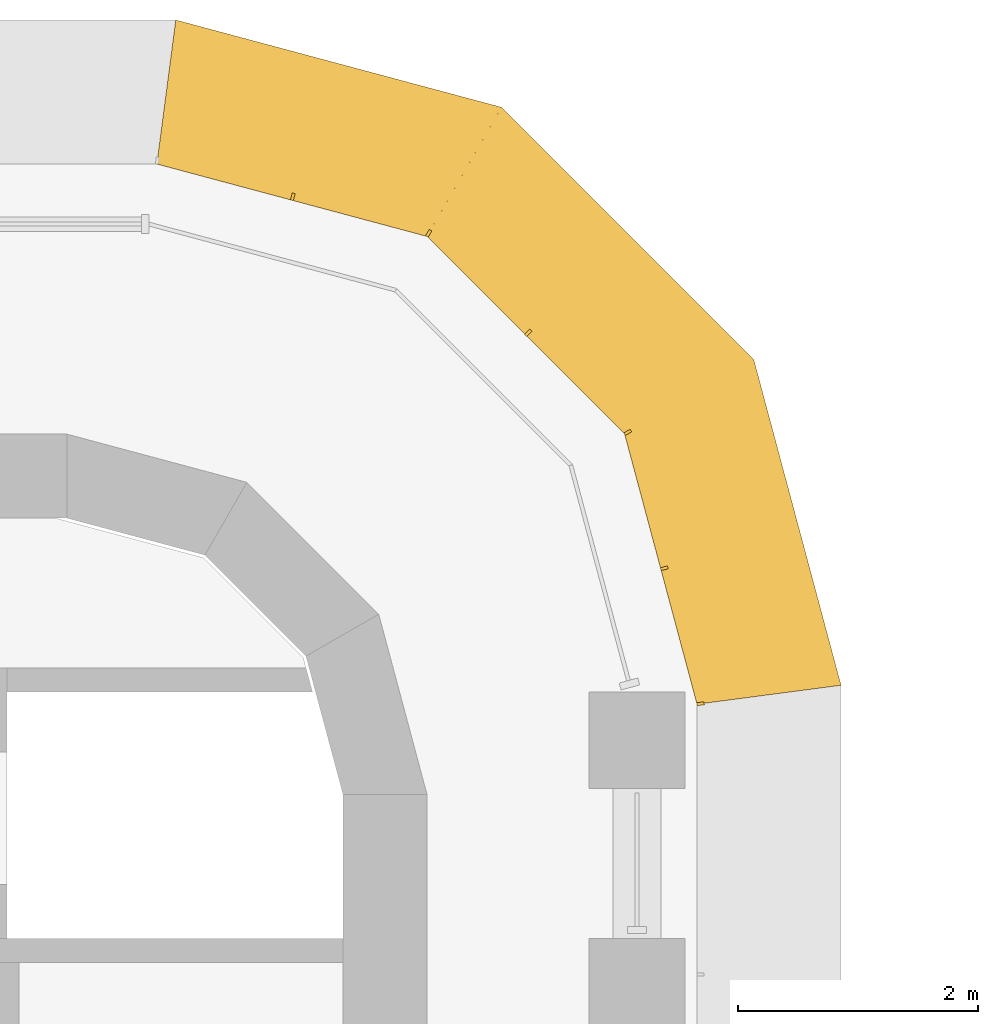
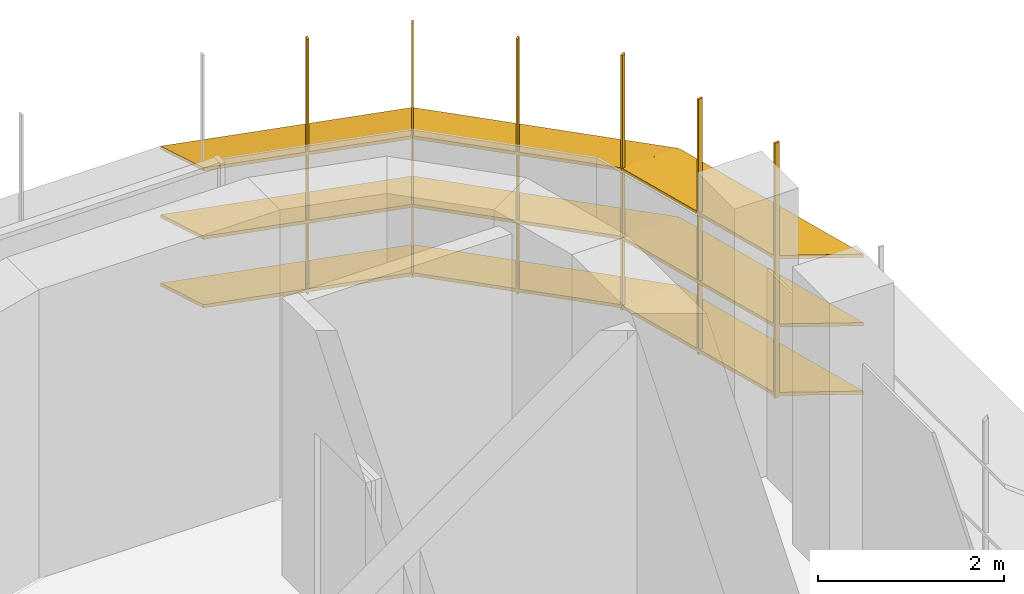
# One storey, part 20 of 20: 1 shading device.
"""IFC4 building model written with IfcOpenShell, lengths in metres."""

from ifc_helpers import new_model, si_unit, direction, frame, origin, place, context, subcontext, project, spatial, polyline, outline, extrude, faceted_brep, source, transform, mapped, material, type_object, element, save


model = new_model("IFC4")

# Units and contexts
model_context = context("Model", 3, precision=1e-05, world=origin(), true_north=direction((0.0, 1.0)))
body_context = subcontext(model_context, "Body", "Model", "MODEL_VIEW")
ifc_project = project(units=[si_unit("LENGTHUNIT", "METRE"), si_unit("AREAUNIT", "SQUARE_METRE"), si_unit("VOLUMEUNIT", "CUBIC_METRE"), si_unit("PLANEANGLEUNIT", "RADIAN"), si_unit("MASSUNIT", "GRAM", prefix="KILO")], contexts=[model_context])

# Site, building, storey
site_placement = place(None, origin())
site = spatial("IfcSite", under=ifc_project, at=site_placement, CompositionType="ELEMENT")
building_placement = place(site_placement, origin())
building = spatial("IfcBuilding", under=site, at=building_placement, Name="Zarbagh Exchange Tower", CompositionType="ELEMENT")
storey_placement = place(building_placement, frame((0.0, 0.0, 152.39990234375)))
storey = spatial("IfcBuildingStorey", under=building, at=storey_placement, Name="L36", CompositionType="ELEMENT", Elevation=152.39990234375)

# Shading device
ifc_material = material(Name="Anodised aluminium blades and brackets", Category="aluminium")
shading_device_type = type_object("IfcShadingDeviceType", Name="SUNSHADE louvre band, 22.5 degree blades", PredefinedType="JALOUSIE", material=ifc_material)
shared_shape_1 = source(origin(), body_context, "Body", "Brep", [
    faceted_brep([(0.0, 0.0, 0.0), (0.0, 0.0, -0.043212890625), (-0.157958984375, -1.199951171875, -0.540283203125), (-0.157958984375, -1.199951171875, -0.4970703125), (2.65087890625, -1.199951171875, -0.4970703125), (2.65087890625, -1.199951171875, -0.540283203125), (2.329345703125, 0.0, -0.043212890625), (2.329345703125, 0.0, 0.0)], [[[0, 1, 2, 3]], [[4, 5, 6, 7]], [[0, 7, 6, 1]], [[1, 6, 5, 2]], [[2, 5, 4, 3]], [[3, 4, 7, 0]]]),
])
shared_shape_2 = source(origin(), body_context, "Body", "Brep", [
    faceted_brep([(0.0, 0.0, 0.0), (0.0, 0.0, -0.043212890625), (-0.321533203125, -1.199951171875, -0.540283203125), (-0.321533203125, -1.199951171875, -0.4970703125), (2.65087890625, -1.199951171875, -0.4970703125), (2.65087890625, -1.199951171875, -0.540283203125), (2.329345703125, 0.0, -0.043212890625), (2.329345703125, 0.0, 0.0)], [[[0, 1, 2, 3]], [[4, 5, 6, 7]], [[0, 7, 6, 1]], [[1, 6, 5, 2]], [[2, 5, 4, 3]], [[3, 4, 7, 0]]]),
])
shared_shape_3 = source(origin(), body_context, "Body", "Brep", [
    faceted_brep([(0.0, 0.0, 0.0), (0.0, 0.0, -0.043212890625), (-0.321533203125, -1.199951171875, -0.540283203125), (-0.321533203125, -1.199951171875, -0.4970703125), (2.4873046875, -1.199951171875, -0.4970703125), (2.4873046875, -1.199951171875, -0.540283203125), (2.329345703125, 0.0, -0.043212890625), (2.329345703125, 0.0, 0.0)], [[[0, 1, 2, 3]], [[4, 5, 6, 7]], [[0, 7, 6, 1]], [[1, 6, 5, 2]], [[2, 5, 4, 3]], [[3, 4, 7, 0]]]),
])
shared_shape_4 = source(origin(), body_context, "Body", "SweptSolid", [
    extrude(outline(polyline([(0.0, -0.012451171875), (0.06005859375, -0.012451171875), (0.06005859375, 0.012451171875), (0.0, 0.012451171875), (0.0, -0.012451171875)])), origin(), (0.0, 0.0, 1.0), 3.353271484375),
])
shading_device_placement = place(storey_placement, origin())
element("IfcShadingDevice", 1, at=shading_device_placement, inside=storey, type_object=shading_device_type, Name="SS26 sunshade band", PredefinedType="JALOUSIE", context=body_context, shape_type="MappedRepresentation", body=[
    mapped(shared_shape_1, transform((6.75, 27.0, 2.300048828125), x_axis=(-0.258824779902, 0.965924289636, 0.0), y_axis=(-0.965924289636, -0.258824779902, 0.0), z_axis=(0.0, 0.0, 1.0))),
    mapped(shared_shape_1, transform((6.75, 27.0, 1.400146484375), x_axis=(-0.258824779902, 0.965924289636, 0.0), y_axis=(-0.965924289636, -0.258824779902, 0.0), z_axis=(0.0, 0.0, 1.0))),
    mapped(shared_shape_1, transform((6.75, 27.0, 0.5), x_axis=(-0.258824779902, 0.965924289636, 0.0), y_axis=(-0.965924289636, -0.258824779902, 0.0), z_axis=(0.0, 0.0, 1.0))),
    mapped(shared_shape_2, transform((6.147216796875, 29.25, 2.300048828125), x_axis=(-0.707106781187, 0.707106781187, 0.0), y_axis=(-0.707106781187, -0.707106781187, 0.0), z_axis=(0.0, 0.0, 1.0))),
    mapped(shared_shape_2, transform((6.147216796875, 29.25, 1.400146484375), x_axis=(-0.707106781187, 0.707106781187, 0.0), y_axis=(-0.707106781187, -0.707106781187, 0.0), z_axis=(0.0, 0.0, 1.0))),
    mapped(shared_shape_2, transform((6.147216796875, 29.25, 0.5), x_axis=(-0.707106781187, 0.707106781187, 0.0), y_axis=(-0.707106781187, -0.707106781187, 0.0), z_axis=(0.0, 0.0, 1.0))),
    mapped(shared_shape_3, transform((4.5, 30.897216796875, 2.300048828125), x_axis=(-0.965924289636, 0.258824779902, 0.0), y_axis=(-0.258824779902, -0.965924289636, 0.0), z_axis=(0.0, 0.0, 1.0))),
    mapped(shared_shape_3, transform((4.5, 30.897216796875, 1.400146484375), x_axis=(-0.965924289636, 0.258824779902, 0.0), y_axis=(-0.258824779902, -0.965924289636, 0.0), z_axis=(0.0, 0.0, 1.0))),
    mapped(shared_shape_3, transform((4.5, 30.897216796875, 0.5), x_axis=(-0.965924289636, 0.258824779902, 0.0), y_axis=(-0.258824779902, -0.965924289636, 0.0), z_axis=(0.0, 0.0, 1.0))),
    mapped(shared_shape_4, transform((6.75, 27.0, 0.4267578125), x_axis=(0.991444457092, 0.130529263012, 0.0), y_axis=(-0.130529263012, 0.991444457092, 0.0), z_axis=(0.0, 0.0, 1.0))),
    mapped(shared_shape_4, transform((6.448486328125, 28.125, 0.4267578125), x_axis=(0.96592421511, 0.258825058029, 0.0), y_axis=(-0.258825058029, 0.96592421511, 0.0), z_axis=(0.0, 0.0, 1.0))),
    mapped(shared_shape_4, transform((6.147216796875, 29.25, 0.4267578125), x_axis=(0.866023812018, 0.50000275701, 0.0), y_axis=(-0.50000275701, 0.866023812018, 0.0), z_axis=(0.0, 0.0, 1.0))),
    mapped(shared_shape_4, transform((5.323486328125, 30.073486328125, 0.4267578125), x_axis=(0.707106781187, 0.707106781187, 0.0), y_axis=(-0.707106781187, 0.707106781187, 0.0), z_axis=(0.0, 0.0, 1.0))),
    mapped(shared_shape_4, transform((4.5, 30.897216796875, 0.4267578125), x_axis=(0.50000275701, 0.866023812018, 0.0), y_axis=(-0.866023812018, 0.50000275701, 0.0), z_axis=(0.0, 0.0, 1.0))),
    mapped(shared_shape_4, transform((3.375, 31.198486328125, 0.4267578125), x_axis=(0.258825058029, 0.96592421511, 0.0), y_axis=(-0.96592421511, 0.258825058029, 0.0), z_axis=(0.0, 0.0, 1.0))),
])

save(model, "model.ifc")
